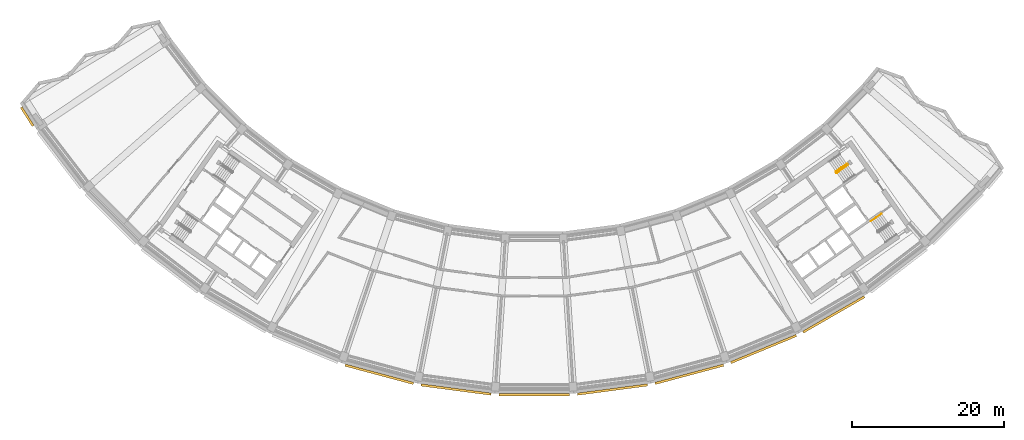
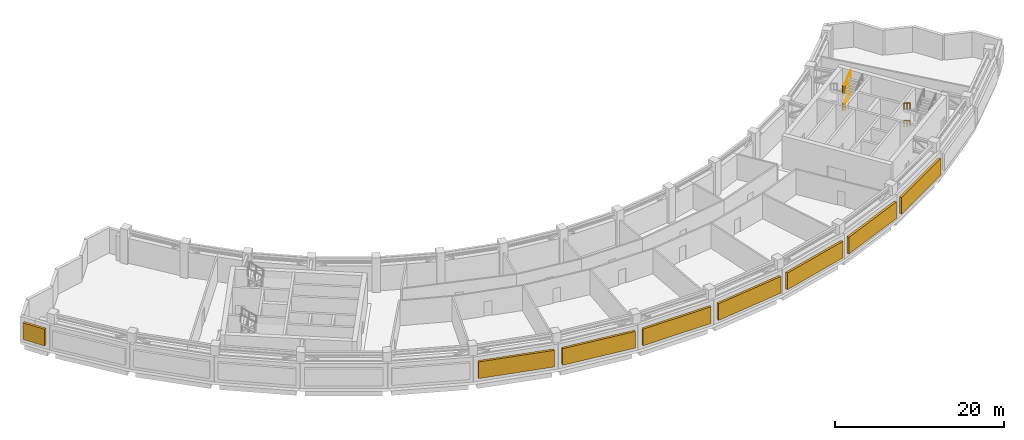
# One storey, part 23 of 24: 8 shading devices, 6 railings.
"""IFC4 building model written with IfcOpenShell, lengths in metres."""

from ifc_helpers import new_model, si_unit, direction, frame, origin, origin_2d, place, context, subcontext, project, spatial, rectangle, circle, extrude, material, type_object, element, save


model = new_model("IFC4")

# Units and contexts
model_context = context("Model", 3, precision=1e-05, world=origin(), true_north=direction((0.0, 1.0)))
body_context = subcontext(model_context, "Body", "Model", "MODEL_VIEW")
ifc_project = project(units=[si_unit("LENGTHUNIT", "METRE"), si_unit("AREAUNIT", "SQUARE_METRE"), si_unit("VOLUMEUNIT", "CUBIC_METRE"), si_unit("PLANEANGLEUNIT", "RADIAN"), si_unit("MASSUNIT", "GRAM", prefix="KILO")], contexts=[model_context])

# Site, building, storey
site_placement = place(None, origin())
site = spatial("IfcSite", under=ifc_project, at=site_placement, CompositionType="ELEMENT")
building_placement = place(site_placement, origin())
building = spatial("IfcBuilding", under=site, at=building_placement, Name="Qamariyya Broadcast Tower", CompositionType="ELEMENT")
storey_placement = place(building_placement, frame((0.0, 0.0, 253.10009765625)))
storey = spatial("IfcBuildingStorey", under=building, at=storey_placement, Name="L61", CompositionType="ELEMENT", Elevation=253.10009765625)

# Railings
ifc_material_1 = material(Name="Painted steel", Category="steel")
railing_type_1 = type_object("IfcRailingType", Name="Stair guard", PredefinedType="GUARDRAIL", material=ifc_material_1)
railing_1_placement = place(storey_placement, frame((41.003173828125, -48.320068359375, 0.178466796875)))
element("IfcRailing", 1, at=railing_1_placement, inside=storey, type_object=railing_type_1, Name="L61 ST-E2 stair guard 1", PredefinedType="GUARDRAIL", context=body_context, shape_type="SweptSolid", body=[
    extrude(circle(Radius=0.02392578125, at=origin_2d()), frame((0.0, 0.0, 1.076171875), z_axis=(-0.69748900342, -0.488409565944, 0.52437122919), x_axis=(0.573594173421, -0.819139624372, 0.0)), (0.0, 0.0, 1.0), 2.04345703125),
    extrude(circle(Radius=0.02392578125, at=origin_2d()), frame((-1.42529296875, -0.998046875, 2.1474609375), z_axis=(-0.172799478008, -0.984957024646, 0.0), x_axis=(0.984957024646, -0.172799478008, 0.0)), (0.0, 0.0, 1.0), 0.070556640625),
    extrude(circle(Radius=0.02392578125, at=origin_2d()), frame((-1.4375, -1.067626953125, 2.1474609375), z_axis=(0.573353020881, -0.819308436089, 0.0), x_axis=(0.819308436089, 0.573353020881, 0.0)), (0.0, 0.0, 1.0), 0.14990234375),
    extrude(circle(Radius=0.02099609375, at=origin_2d()), origin(), (0.0, 0.0, 1.0), 1.052001953125),
    extrude(circle(Radius=0.02099609375, at=origin_2d()), frame((-0.712646484375, -0.4990234375, 0.53564453125)), (0.0, 0.0, 1.0), 1.052001953125),
    extrude(circle(Radius=0.02099609375, at=origin_2d()), frame((-1.42529296875, -0.998046875, 1.071533203125)), (0.0, 0.0, 1.0), 1.052001953125),
    extrude(circle(Radius=0.02099609375, at=origin_2d()), frame((-1.4375, -1.067626953125, 1.071533203125)), (0.0, 0.0, 1.0), 1.052001953125),
    extrude(circle(Radius=0.02099609375, at=origin_2d()), frame((-1.3515625, -1.1904296875, 1.071533203125)), (0.0, 0.0, 1.0), 1.052001953125),
])
railing_2_placement = place(storey_placement, frame((39.721435546875, -49.52294921875, 1.428466796875)))
element("IfcRailing", 2, at=railing_2_placement, inside=storey, type_object=railing_type_1, Name="L61 ST-E2 stair guard 2", PredefinedType="GUARDRAIL", context=body_context, shape_type="SweptSolid", body=[
    extrude(circle(Radius=0.02392578125, at=origin_2d()), frame((0.0, 0.0, 1.076171875), z_axis=(0.69748900342, 0.488409565944, 0.52437122919), x_axis=(-0.573594173421, 0.819139624372, 0.0)), (0.0, 0.0, 1.0), 2.04345703125),
    extrude(circle(Radius=0.02392578125, at=origin_2d()), frame((1.42529296875, 0.998046875, 2.1474609375), z_axis=(-0.35747155403, 0.93392402692, 0.0), x_axis=(-0.93392402692, -0.35747155403, 0.0)), (0.0, 0.0, 1.0), 0.206298828125),
    extrude(circle(Radius=0.02392578125, at=origin_2d()), frame((1.3515625, 1.190673828125, 2.1474609375), z_axis=(0.572588637393, -0.819842821722, 0.0), x_axis=(0.819842821722, 0.572588637393, 0.0)), (0.0, 0.0, 1.0), 0.150146484375),
    extrude(circle(Radius=0.02099609375, at=origin_2d()), origin(), (0.0, 0.0, 1.0), 1.052001953125),
    extrude(circle(Radius=0.02099609375, at=origin_2d()), frame((0.712646484375, 0.4990234375, 0.53564453125)), (0.0, 0.0, 1.0), 1.052001953125),
    extrude(circle(Radius=0.02099609375, at=origin_2d()), frame((1.42529296875, 0.998046875, 1.071533203125)), (0.0, 0.0, 1.0), 1.052001953125),
    extrude(circle(Radius=0.02099609375, at=origin_2d()), frame((1.3515625, 1.190673828125, 1.071533203125)), (0.0, 0.0, 1.0), 1.052001953125),
    extrude(circle(Radius=0.02099609375, at=origin_2d()), frame((1.4375, 1.067626953125, 1.071533203125)), (0.0, 0.0, 1.0), 1.052001953125),
])
railing_3_placement = place(storey_placement, frame((41.003173828125, -48.320068359375, 2.678466796875)))
element("IfcRailing", 3, at=railing_3_placement, inside=storey, type_object=railing_type_1, Name="L61 ST-E2 stair guard 3", PredefinedType="GUARDRAIL", context=body_context, shape_type="SweptSolid", body=[
    extrude(circle(Radius=0.02392578125, at=origin_2d()), frame((0.0, 0.0, 1.076171875), z_axis=(-0.69748900342, -0.488409565944, 0.52437122919), x_axis=(0.573594173421, -0.819139624372, 0.0)), (0.0, 0.0, 1.0), 2.04345703125),
    extrude(circle(Radius=0.02392578125, at=origin_2d()), frame((-1.42529296875, -0.998046875, 2.1474609375), z_axis=(-0.172799478008, -0.984957024646, 0.0), x_axis=(0.984957024646, -0.172799478008, 0.0)), (0.0, 0.0, 1.0), 0.070556640625),
    extrude(circle(Radius=0.02392578125, at=origin_2d()), frame((-1.4375, -1.067626953125, 2.1474609375), z_axis=(0.573353020881, -0.819308436089, 0.0), x_axis=(0.819308436089, 0.573353020881, 0.0)), (0.0, 0.0, 1.0), 0.14990234375),
    extrude(circle(Radius=0.02099609375, at=origin_2d()), origin(), (0.0, 0.0, 1.0), 1.052001953125),
    extrude(circle(Radius=0.02099609375, at=origin_2d()), frame((-0.712646484375, -0.4990234375, 0.53564453125)), (0.0, 0.0, 1.0), 1.052001953125),
    extrude(circle(Radius=0.02099609375, at=origin_2d()), frame((-1.42529296875, -0.998046875, 1.071533203125)), (0.0, 0.0, 1.0), 1.052001953125),
    extrude(circle(Radius=0.02099609375, at=origin_2d()), frame((-1.4375, -1.067626953125, 1.071533203125)), (0.0, 0.0, 1.0), 1.052001953125),
    extrude(circle(Radius=0.02099609375, at=origin_2d()), frame((-1.3515625, -1.1904296875, 1.071533203125)), (0.0, 0.0, 1.0), 1.052001953125),
])
railing_4_placement = place(storey_placement, frame((39.721435546875, -49.52294921875, 3.928466796875)))
element("IfcRailing", 4, at=railing_4_placement, inside=storey, type_object=railing_type_1, Name="L61 ST-E2 stair guard 4", PredefinedType="GUARDRAIL", context=body_context, shape_type="SweptSolid", body=[
    extrude(circle(Radius=0.02392578125, at=origin_2d()), frame((0.0, 0.0, 1.076171875), z_axis=(0.69748900342, 0.488409565944, 0.52437122919), x_axis=(-0.573594173421, 0.819139624372, 0.0)), (0.0, 0.0, 1.0), 2.04345703125),
    extrude(circle(Radius=0.02099609375, at=origin_2d()), origin(), (0.0, 0.0, 1.0), 1.052001953125),
    extrude(circle(Radius=0.02099609375, at=origin_2d()), frame((0.712646484375, 0.4990234375, 0.53564453125)), (0.0, 0.0, 1.0), 1.052001953125),
    extrude(circle(Radius=0.02099609375, at=origin_2d()), frame((1.42529296875, 0.998046875, 1.071533203125)), (0.0, 0.0, 1.0), 1.052001953125),
])
ifc_material_2 = material(Name="Stainless steel", Category="steel")
railing_type_2 = type_object("IfcRailingType", Name="Stair handrail", PredefinedType="HANDRAIL", material=ifc_material_2)
for number, where, name in (
    (5, (45.591796875, -54.873291015625, 0.178466796875), "L61 ST-E1 stair handrail 1"),
    (6, (45.591796875, -54.873291015625, 2.678466796875), "L61 ST-E1 stair handrail 3"),
):
    element("IfcRailing", number, at=place(storey_placement, frame(where)), inside=storey, type_object=railing_type_2, Name=name, PredefinedType="HANDRAIL", context=body_context, shape_type="SweptSolid", body=[
        extrude(circle(Radius=0.02392578125, at=origin_2d()), frame((0.0, 0.0, 0.8759765625), z_axis=(-0.69748900342, -0.488409565944, 0.52437122919), x_axis=(0.573594173421, -0.819139624372, 0.0)), (0.0, 0.0, 1.0), 2.04345703125),
        extrude(circle(Radius=0.02099609375, at=origin_2d()), origin(), (0.0, 0.0, 1.0), 0.851806640625),
        extrude(circle(Radius=0.02099609375, at=origin_2d()), frame((-0.712646484375, -0.4990234375, 0.53564453125)), (0.0, 0.0, 1.0), 0.851806640625),
        extrude(circle(Radius=0.02099609375, at=origin_2d()), frame((-1.42529296875, -0.998046875, 1.071533203125)), (0.0, 0.0, 1.0), 0.851806640625),
    ])

# Shading devices
ifc_material_3 = material(Name="Glazed terracotta", Category="masonry")
shading_device_type = type_object("IfcShadingDeviceType", Name="Terracotta louvre bank", PredefinedType="USERDEFINED", material=ifc_material_3)
shading_device_placement = place(storey_placement, frame((-66.565185546875, -42.127197265625, 0.599853515625), z_axis=(0.0, 0.0, 1.0), x_axis=(0.534772432038, -0.844996121845, 0.0)))
element("IfcShadingDevice", 7, at=shading_device_placement, inside=storey, type_object=shading_device_type, Name="e-lv-L61-00", ObjectType="LOUVRE", PredefinedType="USERDEFINED", context=body_context, shape_type="SweptSolid", body=[
    extrude(rectangle(XDim=2.90234375, YDim=0.300048828125, at=origin_2d()), origin(), (0.0, 0.0, 1.0), 2.39990234375),
])
for number, where, z_axis, x_axis, name in (
    (8, (-20.351318359375, -75.952392578125, 0.599853515625), (0.0, 0.0, 1.0), (0.965925826289, -0.258819045103, 0.0), "e-lv-L61-06"),
    (9, (-10.263427734375, -77.958984375, 0.599853515625), (0.0, 0.0, 1.0), (0.991444861374, -0.13052619222, 0.0), "e-lv-L61-07"),
    (10, (0.0, -78.631591796875, 0.599853515625), (0.0, 0.0, 1.0), (1.0, 0.0, 0.0), "e-lv-L61-08"),
    (11, (10.263427734375, -77.958984375, 0.599853515625), (0.0, 0.0, 1.0), (0.991444861374, 0.13052619222, 0.0), "e-lv-L61-09"),
    (12, (20.351318359375, -75.952392578125, 0.599853515625), (0.0, 0.0, 1.0), (0.965925826289, 0.258819045103, 0.0), "e-lv-L61-10"),
    (13, (30.091064453125, -72.646240234375, 0.599853515625), (0.0, 0.0, 1.0), (0.923879532511, 0.382683432365, 0.0), "e-lv-L61-11"),
    (14, (39.31591796875, -68.096923828125, 0.599853515625), (0.0, 0.0, 1.0), (0.866025403784, 0.5, 0.0), "e-lv-L61-12"),
):
    element("IfcShadingDevice", number, at=place(storey_placement, frame(where, z_axis=z_axis, x_axis=x_axis)), inside=storey, type_object=shading_device_type, Name=name, ObjectType="LOUVRE", PredefinedType="USERDEFINED", context=body_context, shape_type="SweptSolid", body=[
        extrude(rectangle(XDim=9.287841796875, YDim=0.300048828125, at=origin_2d()), origin(), (0.0, 0.0, 1.0), 2.39990234375),
    ])

save(model, "model.ifc")
